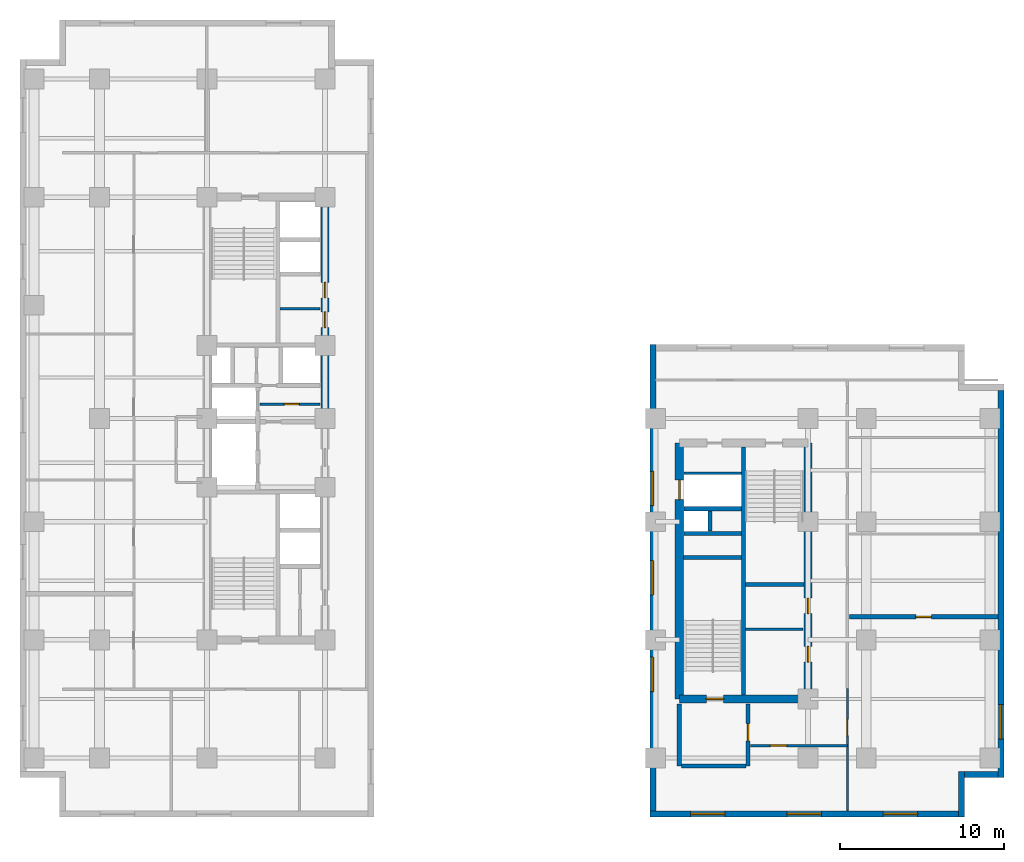
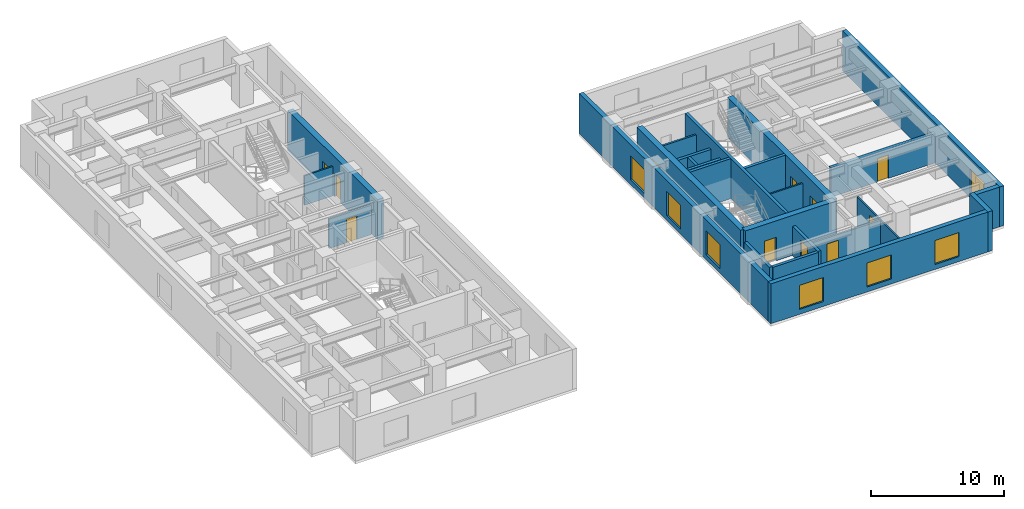
# One storey, part 4 of 9: 25 walls, 11 doors, 7 windows, 18 openings.
"""IFC4 building model written with IfcOpenShell, lengths in metres."""

from ifc_helpers import new_model, entity, si_unit, converted_unit, direction, frame, origin_with_axes, origin_2d_with_axis, place, context, subcontext, project, spatial, polyline, rectangle, outline, extrude, material, layer, layer_set, type_object, element, fill, save


model = new_model("IFC4")

# Units and contexts
model_context = context("Model", 3, precision=1e-05, world=origin_with_axes(), true_north=direction((0.0, 1.0)))
body_context = subcontext(model_context, "Body", "Model", "MODEL_VIEW")
ifc_project = project(units=[si_unit("LENGTHUNIT", "METRE"), si_unit("AREAUNIT", "SQUARE_METRE"), si_unit("VOLUMEUNIT", "CUBIC_METRE"), converted_unit("PLANEANGLEUNIT", "DEGREE", entity("IfcPlaneAngleMeasure", 0.017453292519943295), si_unit("PLANEANGLEUNIT", "RADIAN"), dimensions=[0, 0, 0, 0, 0, 0, 0]), si_unit("MASSUNIT", "GRAM", prefix="KILO"), si_unit("THERMODYNAMICTEMPERATUREUNIT", "KELVIN")], contexts=[model_context])

# Site, building, storey
site_placement = place(None, origin_with_axes())
site = spatial("IfcSite", under=ifc_project, at=site_placement, CompositionType="ELEMENT")
building_placement = place(site_placement, origin_with_axes())
building = spatial("IfcBuilding", under=site, at=building_placement, Name="Varnlund Millrace Tower", CompositionType="ELEMENT")
storey_placement = place(building_placement, frame((0.0, 0.0, 93.0), z_axis=(0.0, 0.0, 1.0), x_axis=(1.0, 0.0, 0.0)))
storey = spatial("IfcBuildingStorey", under=building, at=storey_placement, Name="L22", CompositionType="ELEMENT", Elevation=93.0)

# Wall, openings, doors
ifc_material_1 = material(Name="Concrete C70/85", Category="concrete")
ifc_layer_1 = layer(ifc_material_1, 0.5, Name="Concrete C70/85")
ifc_layer_set_1 = layer_set([ifc_layer_1], Name="Concrete C70/85")
wall_type_1 = type_object("IfcWallType", Name="Type-CoreWall-Shear-500-C70", PredefinedType="SHEAR", material=ifc_layer_set_1)
wall_1_placement = place(storey_placement, frame((18.6, 24.3, 0.0), z_axis=(0.0, 0.0, 1.0), x_axis=(0.0, 1.0, 0.0)))
wall_1 = element("IfcWall", 1, at=wall_1_placement, inside=storey, type_object=wall_type_1, Name="Type-CoreWall-Shear-500-C70", PredefinedType="SHEAR", context=body_context, shape_type="SweptSolid", body=[
    extrude(outline(polyline([(0.0, -0.25), (13.5, -0.25), (13.5, 0.25), (0.0, 0.25), (0.0, -0.25)])), origin_with_axes(), (0.0, 0.0, 1.0), 3.66),
])
opening_1_placement = place(wall_1_placement, frame((6.025, 0.0, 0.0), z_axis=(0.0, 0.0, 1.0), x_axis=(1.0, 0.0, 0.0)))
opening_1 = element("IfcOpeningElement", 2, at=opening_1_placement, cuts=wall_1, Name="Opening L22:DR-CA-WC1", PredefinedType="OPENING", context=body_context, shape_type="SweptSolid", body=[
    extrude(rectangle(XDim=0.95, YDim=0.52, at=origin_2d_with_axis()), origin_with_axes(), (0.0, 0.0, 1.0), 2.15),
])
opening_2_placement = place(wall_1_placement, frame((7.825, 0.0, 0.0), z_axis=(0.0, 0.0, 1.0), x_axis=(1.0, 0.0, 0.0)))
opening_2 = element("IfcOpeningElement", 3, at=opening_2_placement, cuts=wall_1, Name="Opening L22:DR-CA-WC2", PredefinedType="OPENING", context=body_context, shape_type="SweptSolid", body=[
    extrude(rectangle(XDim=0.95, YDim=0.52, at=origin_2d_with_axis()), origin_with_axes(), (0.0, 0.0, 1.0), 2.15),
])
ifc_material_2 = material(Name="Fire-rated hollow steel core service door", Category="steel")
door_type_1 = type_object("IfcDoorType", Name="Type-FireDoor-Service-950X2150", OperationType="NOTDEFINED", PredefinedType="DOOR", material=ifc_material_2)
door_1_placement = place(wall_1_placement, frame((6.025, 0.0, 0.0), z_axis=(0.0, 0.0, 1.0), x_axis=(1.0, 0.0, 0.0)))
door_1 = element("IfcDoor", 4, at=door_1_placement, inside=storey, type_object=door_type_1, Name="Type-FireDoor-Service-950X2150", OperationType="SINGLE_SWING_RIGHT", OverallHeight=2.15, OverallWidth=0.95, PredefinedType="DOOR", context=body_context, shape_type="SweptSolid", body=[
    extrude(rectangle(XDim=0.95, YDim=0.09, at=origin_2d_with_axis()), origin_with_axes(), (0.0, 0.0, 1.0), 2.15),
])
fill(opening_1, door_1)
door_2_placement = place(wall_1_placement, frame((7.825, 0.0, 0.0), z_axis=(0.0, 0.0, 1.0), x_axis=(1.0, 0.0, 0.0)))
door_2 = element("IfcDoor", 5, at=door_2_placement, inside=storey, type_object=door_type_1, Name="Type-FireDoor-Service-950X2150", OperationType="SINGLE_SWING_RIGHT", OverallHeight=2.15, OverallWidth=0.95, PredefinedType="DOOR", context=body_context, shape_type="SweptSolid", body=[
    extrude(rectangle(XDim=0.95, YDim=0.09, at=origin_2d_with_axis()), origin_with_axes(), (0.0, 0.0, 1.0), 2.15),
])
fill(opening_2, door_2)

# Wall, opening, door
wall_2_placement = place(storey_placement, frame((40.2, 7.2, 0.0), z_axis=(0.0, 0.0, 1.0), x_axis=(0.0, 1.0, 0.0)))
wall_2 = element("IfcWall", 6, at=wall_2_placement, inside=storey, type_object=wall_type_1, Name="Type-CoreWall-Shear-500-C70", PredefinedType="SHEAR", context=body_context, shape_type="SweptSolid", body=[
    extrude(outline(polyline([(0.0, -0.25), (15.6, -0.25), (15.6, 0.25), (0.0, 0.25), (0.0, -0.25)])), origin_with_axes(), (0.0, 0.0, 1.0), 3.66),
])
opening_3_placement = place(wall_2_placement, frame((12.75, 0.0, 0.0), z_axis=(0.0, 0.0, 1.0), x_axis=(1.0, 0.0, 0.0)))
opening_3 = element("IfcOpeningElement", 7, at=opening_3_placement, cuts=wall_2, Name="Opening L22:LD-SRV2", PredefinedType="OPENING", context=body_context, shape_type="SweptSolid", body=[
    extrude(rectangle(XDim=1.2, YDim=0.52, at=origin_2d_with_axis()), origin_with_axes(), (0.0, 0.0, 1.0), 2.15),
])
ifc_material_3 = material(Name="Heavy-duty freight sliding landing door")
door_type_2 = type_object("IfcDoorType", Name="Type-LiftLandingDoor-Service-1200X2150", OperationType="NOTDEFINED", PredefinedType="DOOR", material=ifc_material_3)
door_3_placement = place(wall_2_placement, frame((12.75, 0.0, 0.0), z_axis=(0.0, 0.0, 1.0), x_axis=(1.0, 0.0, 0.0)))
door_3 = element("IfcDoor", 8, at=door_3_placement, inside=storey, type_object=door_type_2, Name="Type-LiftLandingDoor-Service-1200X2150", OperationType="DOUBLE_DOOR_SLIDING", OverallHeight=2.15, OverallWidth=1.2, PredefinedType="DOOR", context=body_context, shape_type="SweptSolid", body=[
    extrude(rectangle(XDim=1.2, YDim=0.09, at=origin_2d_with_axis()), origin_with_axes(), (0.0, 0.0, 1.0), 2.15),
])
fill(opening_3, door_3)

wall_3_placement = place(storey_placement, frame((40.2, 7.2, 0.0), z_axis=(0.0, 0.0, 1.0), x_axis=(1.0, 0.0, 0.0)))
wall_3 = element("IfcWall", 9, at=wall_3_placement, inside=storey, type_object=wall_type_1, Name="Type-CoreWall-Shear-500-C70", PredefinedType="SHEAR", context=body_context, shape_type="SweptSolid", body=[
    extrude(outline(polyline([(0.0, -0.25), (7.85, -0.25), (7.85, 0.25), (0.0, 0.25), (0.0, -0.25)])), origin_with_axes(), (0.0, 0.0, 1.0), 3.66),
])
opening_4_placement = place(wall_3_placement, frame((2.175, 0.0, 0.0), z_axis=(0.0, 0.0, 1.0), x_axis=(1.0, 0.0, 0.0)))
opening_4 = element("IfcOpeningElement", 10, at=opening_4_placement, cuts=wall_3, Name="Opening L22:DR-STB1", PredefinedType="OPENING", context=body_context, shape_type="SweptSolid", body=[
    extrude(rectangle(XDim=1.05, YDim=0.52, at=origin_2d_with_axis()), origin_with_axes(), (0.0, 0.0, 1.0), 2.15),
])
ifc_material_4 = material(Name="Fire-rated hollow steel door", Category="steel")
door_type_3 = type_object("IfcDoorType", Name="Type-FireDoor-Stair-1050X2150", OperationType="NOTDEFINED", PredefinedType="DOOR", material=ifc_material_4)
door_4_placement = place(wall_3_placement, frame((2.175, 0.0, 0.0), z_axis=(0.0, 0.0, 1.0), x_axis=(1.0, 0.0, 0.0)))
door_4 = element("IfcDoor", 11, at=door_4_placement, inside=storey, type_object=door_type_3, Name="Type-FireDoor-Stair-1050X2150", OperationType="SINGLE_SWING_LEFT", OverallHeight=2.15, OverallWidth=1.05, PredefinedType="DOOR", context=body_context, shape_type="SweptSolid", body=[
    extrude(rectangle(XDim=1.05, YDim=0.09, at=origin_2d_with_axis()), origin_with_axes(), (0.0, 0.0, 1.0), 2.15),
])
fill(opening_4, door_4)

# Wall, openings, doors
wall_4_placement = place(storey_placement, frame((48.05, 7.2, 0.0), z_axis=(0.0, 0.0, 1.0), x_axis=(0.0, 1.0, 0.0)))
wall_4 = element("IfcWall", 12, at=wall_4_placement, inside=storey, type_object=wall_type_1, Name="Type-CoreWall-Shear-500-C70", PredefinedType="SHEAR", context=body_context, shape_type="SweptSolid", body=[
    extrude(outline(polyline([(0.0, -0.25), (15.6, -0.25), (15.6, 0.25), (0.0, 0.25), (0.0, -0.25)])), origin_with_axes(), (0.0, 0.0, 1.0), 3.66),
])
opening_5_placement = place(wall_4_placement, frame((2.725, 0.0, 0.0), z_axis=(0.0, 0.0, 1.0), x_axis=(1.0, 0.0, 0.0)))
opening_5 = element("IfcOpeningElement", 13, at=opening_5_placement, cuts=wall_4, Name="Opening L22:DR-CB-WC1", PredefinedType="OPENING", context=body_context, shape_type="SweptSolid", body=[
    extrude(rectangle(XDim=0.95, YDim=0.52, at=origin_2d_with_axis()), origin_with_axes(), (0.0, 0.0, 1.0), 2.15),
])
opening_6_placement = place(wall_4_placement, frame((5.675, 0.0, 0.0), z_axis=(0.0, 0.0, 1.0), x_axis=(1.0, 0.0, 0.0)))
opening_6 = element("IfcOpeningElement", 14, at=opening_6_placement, cuts=wall_4, Name="Opening L22:DR-CB-WC2", PredefinedType="OPENING", context=body_context, shape_type="SweptSolid", body=[
    extrude(rectangle(XDim=0.95, YDim=0.52, at=origin_2d_with_axis()), origin_with_axes(), (0.0, 0.0, 1.0), 2.15),
])
door_5_placement = place(wall_4_placement, frame((2.725, 0.0, 0.0), z_axis=(0.0, 0.0, 1.0), x_axis=(1.0, 0.0, 0.0)))
door_5 = element("IfcDoor", 15, at=door_5_placement, inside=storey, type_object=door_type_1, Name="Type-FireDoor-Service-950X2150", OperationType="SINGLE_SWING_LEFT", OverallHeight=2.15, OverallWidth=0.95, PredefinedType="DOOR", context=body_context, shape_type="SweptSolid", body=[
    extrude(rectangle(XDim=0.95, YDim=0.09, at=origin_2d_with_axis()), origin_with_axes(), (0.0, 0.0, 1.0), 2.15),
])
fill(opening_5, door_5)
door_6_placement = place(wall_4_placement, frame((5.675, 0.0, 0.0), z_axis=(0.0, 0.0, 1.0), x_axis=(1.0, 0.0, 0.0)))
door_6 = element("IfcDoor", 16, at=door_6_placement, inside=storey, type_object=door_type_1, Name="Type-FireDoor-Service-950X2150", OperationType="SINGLE_SWING_RIGHT", OverallHeight=2.15, OverallWidth=0.95, PredefinedType="DOOR", context=body_context, shape_type="SweptSolid", body=[
    extrude(rectangle(XDim=0.95, YDim=0.09, at=origin_2d_with_axis()), origin_with_axes(), (0.0, 0.0, 1.0), 2.15),
])
fill(opening_6, door_6)

# Wall, opening, window
ifc_material_5 = material(Name="Precast concrete C50/60", Category="concrete")
ifc_layer_2 = layer(ifc_material_5, 0.38, Name="Precast concrete C50/60")
ifc_layer_set_2 = layer_set([ifc_layer_2], Name="Precast concrete C50/60")
wall_type_2 = type_object("IfcWallType", Name="Type-ExtWall-Precast-Tube-380", PredefinedType="SOLIDWALL", material=ifc_layer_set_2)
wall_5_placement = place(storey_placement, frame((59.81, 26.02, 0.0), z_axis=(0.0, 0.0, 1.0), x_axis=(0.0, -1.0, 0.0)))
wall_5 = element("IfcWall", 17, at=wall_5_placement, inside=storey, type_object=wall_type_2, Name="Type-ExtWall-Precast-Tube-380", PredefinedType="SOLIDWALL", context=body_context, shape_type="SweptSolid", body=[
    extrude(outline(polyline([(0.0, -0.19), (23.62, -0.19), (23.62, 0.19), (0.0, 0.19), (0.0, -0.19)])), origin_with_axes(), (0.0, 0.0, 1.0), 3.66),
])
opening_7_placement = place(wall_5_placement, frame((20.218, 0.0, 0.45), z_axis=(0.0, 0.0, 1.0), x_axis=(1.0, 0.0, 0.0)))
opening_7 = element("IfcOpeningElement", 18, at=opening_7_placement, cuts=wall_5, Name="Opening L22:WN-15", PredefinedType="OPENING", context=body_context, shape_type="SweptSolid", body=[
    extrude(rectangle(XDim=2.1, YDim=0.4, at=origin_2d_with_axis()), origin_with_axes(), (0.0, 0.0, 1.0), 2.2),
])
ifc_material_6 = material(Name="Argon low-e triple glazing in thermally broken bronze frame", Category="glass")
window_type = type_object("IfcWindowType", Name="Type-Window-Punched-2100X2200", PartitioningType="SINGLE_PANEL", PredefinedType="WINDOW", material=ifc_material_6)
window_1_placement = place(wall_5_placement, frame((20.218, 0.0, 0.45), z_axis=(0.0, 0.0, 1.0), x_axis=(1.0, 0.0, 0.0)))
window_1 = element("IfcWindow", 19, at=window_1_placement, inside=storey, type_object=window_type, Name="Type-Window-Punched-2100X2200", OverallHeight=2.2, OverallWidth=2.1, PredefinedType="WINDOW", context=body_context, shape_type="SweptSolid", body=[
    extrude(rectangle(XDim=2.1, YDim=0.09, at=origin_2d_with_axis()), origin_with_axes(), (0.0, 0.0, 1.0), 2.2),
])
fill(opening_7, window_1)

# Walls
wall_6_placement = place(storey_placement, frame((59.62, 2.59, 0.0), z_axis=(0.0, 0.0, 1.0), x_axis=(-1.0, 0.0, 0.0)))
element("IfcWall", 20, at=wall_6_placement, inside=storey, type_object=wall_type_2, Name="Type-ExtWall-Precast-Tube-380", PredefinedType="SOLIDWALL", context=body_context, shape_type="SweptSolid", body=[
    extrude(outline(polyline([(0.0, -0.19), (2.02, -0.19), (2.02, 0.19), (0.0, 0.19), (0.0, -0.19)])), origin_with_axes(), (0.0, 0.0, 1.0), 3.66),
])
wall_7_placement = place(storey_placement, frame((57.41, 2.78, 0.0), z_axis=(0.0, 0.0, 1.0), x_axis=(0.0, -1.0, 0.0)))
element("IfcWall", 21, at=wall_7_placement, inside=storey, type_object=wall_type_2, Name="Type-ExtWall-Precast-Tube-380", PredefinedType="SOLIDWALL", context=body_context, shape_type="SweptSolid", body=[
    extrude(outline(polyline([(0.0, -0.19), (2.78, -0.19), (2.78, 0.19), (0.0, 0.19), (0.0, -0.19)])), origin_with_axes(), (0.0, 0.0, 1.0), 3.66),
])

# Wall, openings, windows
wall_8_placement = place(storey_placement, frame((57.22, 0.19, 0.0), z_axis=(0.0, 0.0, 1.0), x_axis=(-1.0, 0.0, 0.0)))
wall_8 = element("IfcWall", 22, at=wall_8_placement, inside=storey, type_object=wall_type_2, Name="Type-ExtWall-Precast-Tube-380", PredefinedType="SOLIDWALL", context=body_context, shape_type="SweptSolid", body=[
    extrude(outline(polyline([(0.0, -0.19), (18.82, -0.19), (18.82, 0.19), (0.0, 0.19), (0.0, -0.19)])), origin_with_axes(), (0.0, 0.0, 1.0), 3.66),
])
opening_8_placement = place(wall_8_placement, frame((3.537, 0.0, 0.45), z_axis=(0.0, 0.0, 1.0), x_axis=(1.0, 0.0, 0.0)))
opening_8 = element("IfcOpeningElement", 23, at=opening_8_placement, cuts=wall_8, Name="Opening L22:WN-16", PredefinedType="OPENING", context=body_context, shape_type="SweptSolid", body=[
    extrude(rectangle(XDim=2.1, YDim=0.4, at=origin_2d_with_axis()), origin_with_axes(), (0.0, 0.0, 1.0), 2.2),
])
opening_9_placement = place(wall_8_placement, frame((9.41, 0.0, 0.45), z_axis=(0.0, 0.0, 1.0), x_axis=(1.0, 0.0, 0.0)))
opening_9 = element("IfcOpeningElement", 24, at=opening_9_placement, cuts=wall_8, Name="Opening L22:WN-17", PredefinedType="OPENING", context=body_context, shape_type="SweptSolid", body=[
    extrude(rectangle(XDim=2.1, YDim=0.4, at=origin_2d_with_axis()), origin_with_axes(), (0.0, 0.0, 1.0), 2.2),
])
opening_10_placement = place(wall_8_placement, frame((15.283, 0.0, 0.45), z_axis=(0.0, 0.0, 1.0), x_axis=(1.0, 0.0, 0.0)))
opening_10 = element("IfcOpeningElement", 25, at=opening_10_placement, cuts=wall_8, Name="Opening L22:WN-18", PredefinedType="OPENING", context=body_context, shape_type="SweptSolid", body=[
    extrude(rectangle(XDim=2.1, YDim=0.4, at=origin_2d_with_axis()), origin_with_axes(), (0.0, 0.0, 1.0), 2.2),
])
window_2_placement = place(wall_8_placement, frame((3.537, 0.0, 0.45), z_axis=(0.0, 0.0, 1.0), x_axis=(1.0, 0.0, 0.0)))
window_2 = element("IfcWindow", 26, at=window_2_placement, inside=storey, type_object=window_type, Name="Type-Window-Punched-2100X2200", OverallHeight=2.2, OverallWidth=2.1, PredefinedType="WINDOW", context=body_context, shape_type="SweptSolid", body=[
    extrude(rectangle(XDim=2.1, YDim=0.09, at=origin_2d_with_axis()), origin_with_axes(), (0.0, 0.0, 1.0), 2.2),
])
fill(opening_8, window_2)
window_3_placement = place(wall_8_placement, frame((9.41, 0.0, 0.45), z_axis=(0.0, 0.0, 1.0), x_axis=(1.0, 0.0, 0.0)))
window_3 = element("IfcWindow", 27, at=window_3_placement, inside=storey, type_object=window_type, Name="Type-Window-Punched-2100X2200", OverallHeight=2.2, OverallWidth=2.1, PredefinedType="WINDOW", context=body_context, shape_type="SweptSolid", body=[
    extrude(rectangle(XDim=2.1, YDim=0.09, at=origin_2d_with_axis()), origin_with_axes(), (0.0, 0.0, 1.0), 2.2),
])
fill(opening_9, window_3)
window_4_placement = place(wall_8_placement, frame((15.283, 0.0, 0.45), z_axis=(0.0, 0.0, 1.0), x_axis=(1.0, 0.0, 0.0)))
window_4 = element("IfcWindow", 28, at=window_4_placement, inside=storey, type_object=window_type, Name="Type-Window-Punched-2100X2200", OverallHeight=2.2, OverallWidth=2.1, PredefinedType="WINDOW", context=body_context, shape_type="SweptSolid", body=[
    extrude(rectangle(XDim=2.1, YDim=0.09, at=origin_2d_with_axis()), origin_with_axes(), (0.0, 0.0, 1.0), 2.2),
])
fill(opening_10, window_4)

wall_9_placement = place(storey_placement, frame((38.59, 0.38, 0.0), z_axis=(0.0, 0.0, 1.0), x_axis=(0.0, 1.0, 0.0)))
wall_9 = element("IfcWall", 29, at=wall_9_placement, inside=storey, type_object=wall_type_2, Name="Type-ExtWall-Precast-Tube-380", PredefinedType="SOLIDWALL", context=body_context, shape_type="SweptSolid", body=[
    extrude(outline(polyline([(0.0, -0.19), (28.42, -0.19), (28.42, 0.19), (0.0, 0.19), (0.0, -0.19)])), origin_with_axes(), (0.0, 0.0, 1.0), 3.66),
])
opening_11_placement = place(wall_9_placement, frame((8.316, 0.0, 0.45), z_axis=(0.0, 0.0, 1.0), x_axis=(1.0, 0.0, 0.0)))
opening_11 = element("IfcOpeningElement", 30, at=opening_11_placement, cuts=wall_9, Name="Opening L22:WN-19", PredefinedType="OPENING", context=body_context, shape_type="SweptSolid", body=[
    extrude(rectangle(XDim=2.1, YDim=0.4, at=origin_2d_with_axis()), origin_with_axes(), (0.0, 0.0, 1.0), 2.2),
])
opening_12_placement = place(wall_9_placement, frame((14.21, 0.0, 0.45), z_axis=(0.0, 0.0, 1.0), x_axis=(1.0, 0.0, 0.0)))
opening_12 = element("IfcOpeningElement", 31, at=opening_12_placement, cuts=wall_9, Name="Opening L22:WN-20", PredefinedType="OPENING", context=body_context, shape_type="SweptSolid", body=[
    extrude(rectangle(XDim=2.1, YDim=0.4, at=origin_2d_with_axis()), origin_with_axes(), (0.0, 0.0, 1.0), 2.2),
])
opening_13_placement = place(wall_9_placement, frame((19.654, 0.0, 0.45), z_axis=(0.0, 0.0, 1.0), x_axis=(1.0, 0.0, 0.0)))
opening_13 = element("IfcOpeningElement", 32, at=opening_13_placement, cuts=wall_9, Name="Opening L22:WN-21", PredefinedType="OPENING", context=body_context, shape_type="SweptSolid", body=[
    extrude(rectangle(XDim=2.1, YDim=0.4, at=origin_2d_with_axis()), origin_with_axes(), (0.0, 0.0, 1.0), 2.2),
])
window_5_placement = place(wall_9_placement, frame((8.316, 0.0, 0.45), z_axis=(0.0, 0.0, 1.0), x_axis=(1.0, 0.0, 0.0)))
window_5 = element("IfcWindow", 33, at=window_5_placement, inside=storey, type_object=window_type, Name="Type-Window-Punched-2100X2200", OverallHeight=2.2, OverallWidth=2.1, PredefinedType="WINDOW", context=body_context, shape_type="SweptSolid", body=[
    extrude(rectangle(XDim=2.1, YDim=0.09, at=origin_2d_with_axis()), origin_with_axes(), (0.0, 0.0, 1.0), 2.2),
])
fill(opening_11, window_5)
window_6_placement = place(wall_9_placement, frame((14.21, 0.0, 0.45), z_axis=(0.0, 0.0, 1.0), x_axis=(1.0, 0.0, 0.0)))
window_6 = element("IfcWindow", 34, at=window_6_placement, inside=storey, type_object=window_type, Name="Type-Window-Punched-2100X2200", OverallHeight=2.2, OverallWidth=2.1, PredefinedType="WINDOW", context=body_context, shape_type="SweptSolid", body=[
    extrude(rectangle(XDim=2.1, YDim=0.09, at=origin_2d_with_axis()), origin_with_axes(), (0.0, 0.0, 1.0), 2.2),
])
fill(opening_12, window_6)
window_7_placement = place(wall_9_placement, frame((19.654, 0.0, 0.45), z_axis=(0.0, 0.0, 1.0), x_axis=(1.0, 0.0, 0.0)))
window_7 = element("IfcWindow", 35, at=window_7_placement, inside=storey, type_object=window_type, Name="Type-Window-Punched-2100X2200", OverallHeight=2.2, OverallWidth=2.1, PredefinedType="WINDOW", context=body_context, shape_type="SweptSolid", body=[
    extrude(rectangle(XDim=2.1, YDim=0.09, at=origin_2d_with_axis()), origin_with_axes(), (0.0, 0.0, 1.0), 2.2),
])
fill(opening_13, window_7)

# Wall, opening, door
ifc_material_7 = material(Name="Double-stud STC-60 conference acoustic partition", Category="gypsum")
ifc_layer_3 = layer(ifc_material_7, 0.28, Name="Double-stud STC-60 conference acoustic partition")
ifc_layer_set_3 = layer_set([ifc_layer_3], Name="Double-stud STC-60 conference acoustic partition")
wall_type_3 = type_object("IfcWallType", Name="Type-Partition-Acoustic-280", PredefinedType="PARTITIONING", material=ifc_layer_set_3)
wall_10_placement = place(storey_placement, frame((50.57, 12.209, 0.0), z_axis=(0.0, 0.0, 1.0), x_axis=(1.0, 0.0, 0.0)))
wall_10 = element("IfcWall", 36, at=wall_10_placement, inside=storey, type_object=wall_type_3, Name="Type-Partition-Acoustic-280", PredefinedType="PARTITIONING", context=body_context, shape_type="SweptSolid", body=[
    extrude(outline(polyline([(0.0, -0.14), (9.055, -0.14), (9.055, 0.14), (0.0, 0.14), (0.0, -0.14)])), origin_with_axes(), (0.0, 0.0, 1.0), 2.7),
])
opening_14_placement = place(wall_10_placement, frame((4.525, 0.0, 0.0), z_axis=(0.0, 0.0, 1.0), x_axis=(1.0, 0.0, 0.0)))
opening_14 = element("IfcOpeningElement", 37, at=opening_14_placement, cuts=wall_10, Name="Opening L22:DR-WB-01", PredefinedType="OPENING", context=body_context, shape_type="SweptSolid", body=[
    extrude(rectangle(XDim=0.95, YDim=0.3, at=origin_2d_with_axis()), origin_with_axes(), (0.0, 0.0, 1.0), 2.15),
])
ifc_material_8 = material(Name="Solid-core acoustic office door")
door_type_4 = type_object("IfcDoorType", Name="Type-IntDoor-Tenant-950X2150", OperationType="NOTDEFINED", PredefinedType="DOOR", material=ifc_material_8)
door_7_placement = place(wall_10_placement, frame((4.525, 0.0, 0.0), z_axis=(0.0, 0.0, 1.0), x_axis=(1.0, 0.0, 0.0)))
door_7 = element("IfcDoor", 38, at=door_7_placement, inside=storey, type_object=door_type_4, Name="Type-IntDoor-Tenant-950X2150", OperationType="SINGLE_SWING_LEFT", OverallHeight=2.15, OverallWidth=0.95, PredefinedType="DOOR", context=body_context, shape_type="SweptSolid", body=[
    extrude(rectangle(XDim=0.95, YDim=0.09, at=origin_2d_with_axis()), origin_with_axes(), (0.0, 0.0, 1.0), 2.15),
])
fill(opening_14, door_7)

ifc_material_9 = material(Name="Fire-rated gypsum board on cold-formed steel framing", Category="steel")
ifc_layer_4 = layer(ifc_material_9, 0.16, Name="Fire-rated gypsum board on cold-formed steel framing")
ifc_layer_set_4 = layer_set([ifc_layer_4], Name="Fire-rated gypsum board on cold-formed steel framing")
wall_type_4 = type_object("IfcWallType", Name="Type-Partition-Corridor-160", PredefinedType="PARTITIONING", material=ifc_layer_set_4)
wall_11_placement = place(storey_placement, frame((14.62, 25.18, 0.0), z_axis=(0.0, 0.0, 1.0), x_axis=(1.0, 0.0, 0.0)))
wall_11 = element("IfcWall", 39, at=wall_11_placement, inside=storey, type_object=wall_type_4, Name="Type-Partition-Corridor-160", PredefinedType="PARTITIONING", context=body_context, shape_type="SweptSolid", body=[
    extrude(outline(polyline([(0.0, -0.08), (3.68, -0.08), (3.68, 0.08), (0.0, 0.08), (0.0, -0.08)])), origin_with_axes(), (0.0, 0.0, 1.0), 2.7),
])
opening_15_placement = place(wall_11_placement, frame((1.95, 0.0, 0.0), z_axis=(0.0, 0.0, 1.0), x_axis=(1.0, 0.0, 0.0)))
opening_15 = element("IfcOpeningElement", 40, at=opening_15_placement, cuts=wall_11, Name="Opening L22:DR-CA-SUB2", PredefinedType="OPENING", context=body_context, shape_type="SweptSolid", body=[
    extrude(rectangle(XDim=0.9, YDim=0.18, at=origin_2d_with_axis()), origin_with_axes(), (0.0, 0.0, 1.0), 2.15),
])
ifc_material_10 = material(Name="Painted steel riser and closet door", Category="steel")
door_type_5 = type_object("IfcDoorType", Name="Type-IntDoor-Closet-900X2150", OperationType="NOTDEFINED", PredefinedType="DOOR", material=ifc_material_10)
door_8_placement = place(wall_11_placement, frame((1.95, 0.0, 0.0), z_axis=(0.0, 0.0, 1.0), x_axis=(1.0, 0.0, 0.0)))
door_8 = element("IfcDoor", 41, at=door_8_placement, inside=storey, type_object=door_type_5, Name="Type-IntDoor-Closet-900X2150", OperationType="SINGLE_SWING_LEFT", OverallHeight=2.15, OverallWidth=0.9, PredefinedType="DOOR", context=body_context, shape_type="SweptSolid", body=[
    extrude(rectangle(XDim=0.9, YDim=0.09, at=origin_2d_with_axis()), origin_with_axes(), (0.0, 0.0, 1.0), 2.15),
])
fill(opening_15, door_8)

# Wall
wall_12_placement = place(storey_placement, frame((40.5, 20.96, 0.0), z_axis=(0.0, 0.0, 1.0), x_axis=(1.0, 0.0, 0.0)))
element("IfcWall", 42, at=wall_12_placement, inside=storey, type_object=wall_type_4, Name="Type-Partition-Corridor-160", PredefinedType="PARTITIONING", context=body_context, shape_type="SweptSolid", body=[
    extrude(outline(polyline([(0.0, -0.08), (3.5, -0.08), (3.5, 0.08), (0.0, 0.08), (0.0, -0.08)])), origin_with_axes(), (0.0, 0.0, 1.0), 2.7),
])

# Wall, opening, door
wall_13_placement = place(storey_placement, frame((44.55, 4.35, 0.0), z_axis=(0.0, 0.0, 1.0), x_axis=(1.0, 0.0, 0.0)))
wall_13 = element("IfcWall", 43, at=wall_13_placement, inside=storey, type_object=wall_type_4, Name="Type-Partition-Corridor-160", PredefinedType="PARTITIONING", context=body_context, shape_type="SweptSolid", body=[
    extrude(outline(polyline([(0.0, -0.08), (5.9, -0.08), (5.9, 0.08), (0.0, 0.08), (0.0, -0.08)])), origin_with_axes(), (0.0, 0.0, 1.0), 2.7),
])
opening_16_placement = place(wall_13_placement, frame((1.7, 0.0, 0.0), z_axis=(0.0, 0.0, 1.0), x_axis=(1.0, 0.0, 0.0)))
opening_16 = element("IfcOpeningElement", 44, at=opening_16_placement, cuts=wall_13, Name="Opening L22:DR-WBS-01", PredefinedType="OPENING", context=body_context, shape_type="SweptSolid", body=[
    extrude(rectangle(XDim=1.0, YDim=0.18, at=origin_2d_with_axis()), origin_with_axes(), (0.0, 0.0, 1.0), 2.15),
])
ifc_material_11 = material(Name="Solid-core white oak and bronze frame door")
door_type_6 = type_object("IfcDoorType", Name="Type-IntDoor-Office-1000X2150", OperationType="NOTDEFINED", PredefinedType="DOOR", material=ifc_material_11)
door_9_placement = place(wall_13_placement, frame((1.7, 0.0, 0.0), z_axis=(0.0, 0.0, 1.0), x_axis=(1.0, 0.0, 0.0)))
door_9 = element("IfcDoor", 45, at=door_9_placement, inside=storey, type_object=door_type_6, Name="Type-IntDoor-Office-1000X2150", OperationType="SINGLE_SWING_LEFT", OverallHeight=2.15, OverallWidth=1.0, PredefinedType="DOOR", context=body_context, shape_type="SweptSolid", body=[
    extrude(rectangle(XDim=1.0, YDim=0.09, at=origin_2d_with_axis()), origin_with_axes(), (0.0, 0.0, 1.0), 2.15),
])
fill(opening_16, door_9)

ifc_material_12 = material(Name="Gypsum board tenant partition", Category="gypsum")
ifc_layer_5 = layer(ifc_material_12, 0.125, Name="Gypsum board tenant partition")
ifc_layer_set_5 = layer_set([ifc_layer_5], Name="Gypsum board tenant partition")
wall_type_5 = type_object("IfcWallType", Name="Type-Partition-Tenant-125", PredefinedType="PARTITIONING", material=ifc_layer_set_5)
wall_14_placement = place(storey_placement, frame((50.45, 0.36, 0.0), z_axis=(0.0, 0.0, 1.0), x_axis=(0.0, 1.0, 0.0)))
wall_14 = element("IfcWall", 46, at=wall_14_placement, inside=storey, type_object=wall_type_5, Name="Type-Partition-Tenant-125", PredefinedType="PARTITIONING", context=body_context, shape_type="SweptSolid", body=[
    extrude(outline(polyline([(0.0, -0.0625), (7.49, -0.0625), (7.49, 0.0625), (0.0, 0.0625), (0.0, -0.0625)])), origin_with_axes(), (0.0, 0.0, 1.0), 2.7),
])
opening_17_placement = place(wall_14_placement, frame((5.1, 0.0, 0.0), z_axis=(0.0, 0.0, 1.0), x_axis=(1.0, 0.0, 0.0)))
opening_17 = element("IfcOpeningElement", 47, at=opening_17_placement, cuts=wall_14, Name="Opening L22:DR-WBS-02", PredefinedType="OPENING", context=body_context, shape_type="SweptSolid", body=[
    extrude(rectangle(XDim=1.0, YDim=0.145, at=origin_2d_with_axis()), origin_with_axes(), (0.0, 0.0, 1.0), 2.15),
])
door_10_placement = place(wall_14_placement, frame((5.1, 0.0, 0.0), z_axis=(0.0, 0.0, 1.0), x_axis=(1.0, 0.0, 0.0)))
door_10 = element("IfcDoor", 48, at=door_10_placement, inside=storey, type_object=door_type_6, Name="Type-IntDoor-Office-1000X2150", OperationType="SINGLE_SWING_LEFT", OverallHeight=2.15, OverallWidth=1.0, PredefinedType="DOOR", context=body_context, shape_type="SweptSolid", body=[
    extrude(rectangle(XDim=1.0, YDim=0.075, at=origin_2d_with_axis()), origin_with_axes(), (0.0, 0.0, 1.0), 2.15),
])
fill(opening_17, door_10)

# Walls
ifc_material_13 = material(Name="Moisture-resistant gypsum restroom partition", Category="gypsum")
ifc_layer_6 = layer(ifc_material_13, 0.14, Name="Moisture-resistant gypsum restroom partition")
ifc_layer_set_6 = layer_set([ifc_layer_6], Name="Moisture-resistant gypsum restroom partition")
wall_type_6 = type_object("IfcWallType", Name="Type-Partition-Wet-140", PredefinedType="PARTITIONING", material=ifc_layer_set_6)
wall_15_placement = place(storey_placement, frame((15.84, 31.0, 0.0), z_axis=(0.0, 0.0, 1.0), x_axis=(1.0, 0.0, 0.0)))
element("IfcWall", 49, at=wall_15_placement, inside=storey, type_object=wall_type_6, Name="Type-Partition-Wet-140", PredefinedType="PARTITIONING", context=body_context, shape_type="SweptSolid", body=[
    extrude(outline(polyline([(0.0, -0.07), (2.46, -0.07), (2.46, 0.07), (0.0, 0.07), (0.0, -0.07)])), origin_with_axes(), (0.0, 0.0, 1.0), 2.7),
])
wall_16_placement = place(storey_placement, frame((44.25, 11.45, 0.0), z_axis=(0.0, 0.0, 1.0), x_axis=(1.0, 0.0, 0.0)))
element("IfcWall", 50, at=wall_16_placement, inside=storey, type_object=wall_type_6, Name="Type-Partition-Wet-140", PredefinedType="PARTITIONING", context=body_context, shape_type="SweptSolid", body=[
    extrude(outline(polyline([(0.0, -0.07), (3.5, -0.07), (3.5, 0.07), (0.0, 0.07), (0.0, -0.07)])), origin_with_axes(), (0.0, 0.0, 1.0), 2.7),
])
ifc_material_14 = material(Name="Concrete C60/75", Category="concrete")
ifc_layer_7 = layer(ifc_material_14, 0.25, Name="Concrete C60/75")
ifc_layer_set_7 = layer_set([ifc_layer_7], Name="Concrete C60/75")
wall_type_7 = type_object("IfcWallType", Name="Type-ShaftWall-Fire-250", PredefinedType="SOLIDWALL", material=ifc_layer_set_7)
for number, where, z_axis, x_axis, name in (
    (51, (40.5, 17.3, 0.0), (0.0, 0.0, 1.0), (1.0, 0.0, 0.0), "Type-ShaftWall-Fire-250"),
    (52, (40.5, 18.8, 0.0), (0.0, 0.0, 1.0), (1.0, 0.0, 0.0), "Type-ShaftWall-Fire-250"),
):
    element("IfcWall", number, at=place(storey_placement, frame(where, z_axis=z_axis, x_axis=x_axis)), inside=storey, type_object=wall_type_7, Name=name, PredefinedType="SOLIDWALL", context=body_context, shape_type="SweptSolid", body=[
        extrude(outline(polyline([(0.0, -0.125), (3.5, -0.125), (3.5, 0.125), (0.0, 0.125), (0.0, -0.125)])), origin_with_axes(), (0.0, 0.0, 1.0), 2.7),
    ])
wall_17_placement = place(storey_placement, frame((42.075, 17.43, 0.0), z_axis=(0.0, 0.0, 1.0), x_axis=(0.0, 1.0, 0.0)))
element("IfcWall", 53, at=wall_17_placement, inside=storey, type_object=wall_type_7, Name="Type-ShaftWall-Fire-250", PredefinedType="SOLIDWALL", context=body_context, shape_type="SweptSolid", body=[
    extrude(outline(polyline([(0.0, -0.125), (1.24, -0.125), (1.24, 0.125), (0.0, 0.125), (0.0, -0.125)])), origin_with_axes(), (0.0, 0.0, 1.0), 2.7),
])
wall_18_placement = place(storey_placement, frame((40.2, 3.1, 0.0), z_axis=(0.0, 0.0, 1.0), x_axis=(0.0, 1.0, 0.0)))
element("IfcWall", 54, at=wall_18_placement, inside=storey, type_object=wall_type_7, Name="Type-ShaftWall-Fire-250", PredefinedType="SOLIDWALL", context=body_context, shape_type="SweptSolid", body=[
    extrude(outline(polyline([(0.0, -0.125), (3.8, -0.125), (3.8, 0.125), (0.0, 0.125), (0.0, -0.125)])), origin_with_axes(), (0.0, 0.0, 1.0), 2.7),
])
wall_19_placement = place(storey_placement, frame((40.325, 3.1, 0.0), z_axis=(0.0, 0.0, 1.0), x_axis=(1.0, 0.0, 0.0)))
element("IfcWall", 55, at=wall_19_placement, inside=storey, type_object=wall_type_7, Name="Type-ShaftWall-Fire-250", PredefinedType="SOLIDWALL", context=body_context, shape_type="SweptSolid", body=[
    extrude(outline(polyline([(0.0, -0.125), (3.95, -0.125), (3.95, 0.125), (0.0, 0.125), (0.0, -0.125)])), origin_with_axes(), (0.0, 0.0, 1.0), 2.7),
])

# Wall, opening, door
wall_20_placement = place(storey_placement, frame((44.4, 3.1, 0.0), z_axis=(0.0, 0.0, 1.0), x_axis=(0.0, 1.0, 0.0)))
wall_20 = element("IfcWall", 56, at=wall_20_placement, inside=storey, type_object=wall_type_7, Name="Type-ShaftWall-Fire-250", PredefinedType="SOLIDWALL", context=body_context, shape_type="SweptSolid", body=[
    extrude(outline(polyline([(0.0, -0.125), (3.8, -0.125), (3.8, 0.125), (0.0, 0.125), (0.0, -0.125)])), origin_with_axes(), (0.0, 0.0, 1.0), 2.7),
])
opening_18_placement = place(wall_20_placement, frame((2.075, 0.0, 0.0), z_axis=(0.0, 0.0, 1.0), x_axis=(1.0, 0.0, 0.0)))
opening_18 = element("IfcOpeningElement", 57, at=opening_18_placement, cuts=wall_20, Name="Opening L22:DR-FFLOB-B", PredefinedType="OPENING", context=body_context, shape_type="SweptSolid", body=[
    extrude(rectangle(XDim=1.05, YDim=0.27, at=origin_2d_with_axis()), origin_with_axes(), (0.0, 0.0, 1.0), 2.15),
])
ifc_material_15 = material(Name="Smoke-barrier hollow steel fire door", Category="steel")
door_type_7 = type_object("IfcDoorType", Name="Type-FireDoor-Lobby-1050X2150", OperationType="NOTDEFINED", PredefinedType="DOOR", material=ifc_material_15)
door_11_placement = place(wall_20_placement, frame((2.075, 0.0, 0.0), z_axis=(0.0, 0.0, 1.0), x_axis=(1.0, 0.0, 0.0)))
door_11 = element("IfcDoor", 58, at=door_11_placement, inside=storey, type_object=door_type_7, Name="Type-FireDoor-Lobby-1050X2150", OperationType="SINGLE_SWING_LEFT", OverallHeight=2.15, OverallWidth=1.05, PredefinedType="DOOR", context=body_context, shape_type="SweptSolid", body=[
    extrude(rectangle(XDim=1.05, YDim=0.09, at=origin_2d_with_axis()), origin_with_axes(), (0.0, 0.0, 1.0), 2.15),
])
fill(opening_18, door_11)

# Walls
wall_type_8 = type_object("IfcWallType", Name="Type-StairWall-Shear-250", PredefinedType="SHEAR", material=ifc_layer_set_7)
wall_21_placement = place(storey_placement, frame((44.125, 7.45, 0.0), z_axis=(0.0, 0.0, 1.0), x_axis=(0.0, 1.0, 0.0)))
element("IfcWall", 59, at=wall_21_placement, inside=storey, type_object=wall_type_8, Name="Type-StairWall-Shear-250", PredefinedType="SHEAR", context=body_context, shape_type="SweptSolid", body=[
    extrude(outline(polyline([(0.0, -0.125), (15.1, -0.125), (15.1, 0.125), (0.0, 0.125), (0.0, -0.125)])), origin_with_axes(), (0.0, 0.0, 1.0), 3.66),
])
for number, where, z_axis, x_axis, name in (
    (60, (40.45, 15.825, 0.0), (0.0, 0.0, 1.0), (1.0, 0.0, 0.0), "Type-StairWall-Shear-250"),
    (61, (44.25, 14.175, 0.0), (0.0, 0.0, 1.0), (1.0, 0.0, 0.0), "Type-StairWall-Shear-250"),
):
    element("IfcWall", number, at=place(storey_placement, frame(where, z_axis=z_axis, x_axis=x_axis)), inside=storey, type_object=wall_type_8, Name=name, PredefinedType="SHEAR", context=body_context, shape_type="SweptSolid", body=[
        extrude(outline(polyline([(0.0, -0.125), (3.55, -0.125), (3.55, 0.125), (0.0, 0.125), (0.0, -0.125)])), origin_with_axes(), (0.0, 0.0, 1.0), 3.66),
    ])

save(model, "model.ifc")
